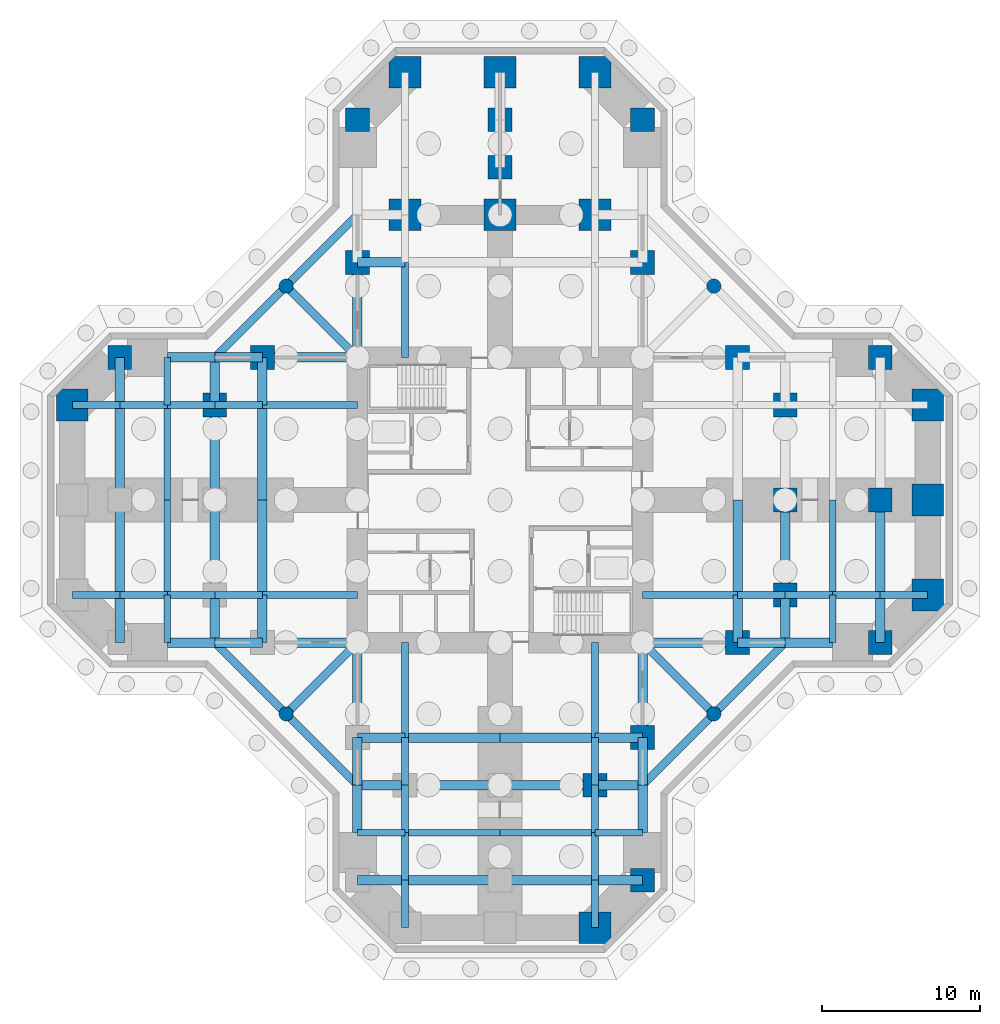
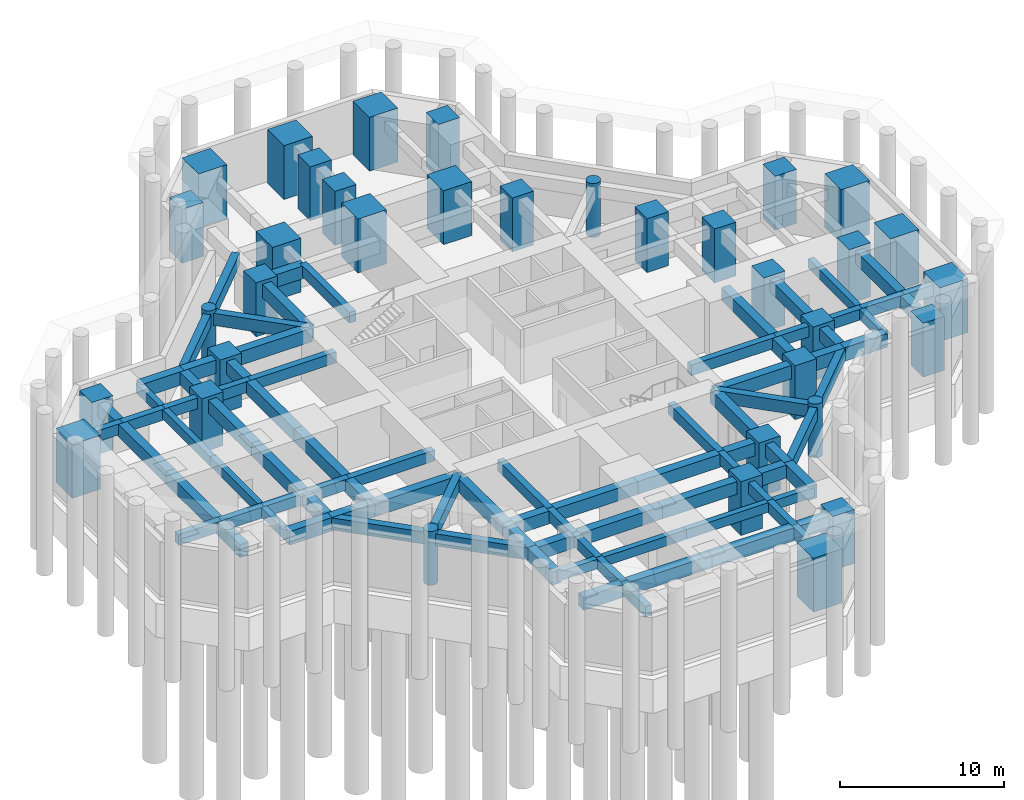
# One storey, part 2 of 8: 92 beams, 35 columns.
"""IFC4 building model written with IfcOpenShell, lengths in metres."""

from ifc_helpers import new_model, si_unit, direction, frame, origin, origin_2d, place, context, subcontext, project, spatial, rectangle, circle, extrude, material, material_profile, profile_set, type_object, element, save


model = new_model("IFC4")

# Units and contexts
model_context = context("Model", 3, precision=1e-05, world=origin(), true_north=direction((0.0, 1.0)))
body_context = subcontext(model_context, "Body", "Model", "MODEL_VIEW")
ifc_project = project(units=[si_unit("LENGTHUNIT", "METRE"), si_unit("AREAUNIT", "SQUARE_METRE"), si_unit("VOLUMEUNIT", "CUBIC_METRE"), si_unit("PLANEANGLEUNIT", "RADIAN"), si_unit("MASSUNIT", "GRAM", prefix="KILO")], contexts=[model_context])

# Site, building, storey
site_placement = place(None, origin())
site = spatial("IfcSite", under=ifc_project, at=site_placement, CompositionType="ELEMENT")
building_placement = place(site_placement, origin())
building = spatial("IfcBuilding", under=site, at=building_placement, Name="Torre Cruceta", CompositionType="ELEMENT")
storey_placement = place(building_placement, frame((0.0, 0.0, -8.0)))
storey = spatial("IfcBuildingStorey", under=building, at=storey_placement, Name="B02", CompositionType="ELEMENT", Elevation=-8.0)

# Columns
ifc_material_1 = material(Name="Concrete G60 (fck 60 MPa)", Category="concrete")
ifc_material_profile_1 = material_profile(ifc_material_1, rectangle(XDim=1.5, YDim=1.5, at=origin_2d()), Name="RC 1500X1500")
ifc_profile_set_1 = profile_set([ifc_material_profile_1], Name="Concrete G60 (fck 60 MPa)")
column_type_1 = type_object("IfcColumnType", Name="COLUMN RC 1500X1500", PredefinedType="COLUMN", material=ifc_profile_set_1)
for number, where, z_axis, x_axis, name in (
    (1, (9.0, 15.0, 0.0), (0.0, 0.0, 1.0), (1.0, 0.0, 0.0), "C0 B02 N side"),
    (2, (9.0, 24.0, 0.0), (0.0, 0.0, 1.0), (1.0, 0.0, 0.0), "C0 B02 N chamfer"),
    (3, (-9.0, 15.0, 0.0), (0.0, 0.0, 1.0), (1.0, 0.0, 0.0), "C0 B02 N side"),
    (4, (-9.0, 24.0, 0.0), (0.0, 0.0, 1.0), (1.0, 0.0, 0.0), "C0 B02 N chamfer"),
    (5, (15.0, -9.0, 0.0), (0.0, 0.0, 1.0), (1.0, 0.0, 0.0), "C0 B02 E side"),
    (6, (24.0, -9.0, 0.0), (0.0, 0.0, 1.0), (1.0, 0.0, 0.0), "C0 B02 E chamfer"),
    (7, (15.0, 9.0, 0.0), (0.0, 0.0, 1.0), (1.0, 0.0, 0.0), "C0 B02 E side"),
    (8, (24.0, 9.0, 0.0), (0.0, 0.0, 1.0), (1.0, 0.0, 0.0), "C0 B02 E chamfer"),
    (9, (9.0, -15.0, 0.0), (0.0, 0.0, 1.0), (1.0, 0.0, 0.0), "C0 B02 S side"),
    (10, (9.0, -24.0, 0.0), (0.0, 0.0, 1.0), (1.0, 0.0, 0.0), "C0 B02 S chamfer"),
    (11, (-15.0, 9.0, 0.0), (0.0, 0.0, 1.0), (1.0, 0.0, 0.0), "C0 B02 W side"),
    (12, (-24.0, 9.0, 0.0), (0.0, 0.0, 1.0), (1.0, 0.0, 0.0), "C0 B02 W chamfer"),
    (13, (0.0, 21.0, 0.0), (0.0, 0.0, 1.0), (1.0, 0.0, 0.0), "C0 B02 N interior"),
    (14, (0.0, 24.0, 0.0), (0.0, 0.0, 1.0), (1.0, 0.0, 0.0), "C0 B02 N interior"),
    (15, (18.0, -6.0, 0.0), (0.0, 0.0, 1.0), (1.0, 0.0, 0.0), "C0 B02 E interior"),
    (16, (18.0, 0.0, 0.0), (0.0, 0.0, 1.0), (1.0, 0.0, 0.0), "C0 B02 E interior"),
    (17, (18.0, 6.0, 0.0), (0.0, 0.0, 1.0), (1.0, 0.0, 0.0), "C0 B02 E interior"),
    (18, (24.0, 0.0, 0.0), (0.0, 0.0, 1.0), (1.0, 0.0, 0.0), "C0 B02 E interior"),
    (19, (6.0, -18.0, 0.0), (0.0, 0.0, 1.0), (1.0, 0.0, 0.0), "C0 B02 S interior"),
    (20, (-18.0, 6.0, 0.0), (0.0, 0.0, 1.0), (1.0, 0.0, 0.0), "C0 B02 W interior"),
):
    element("IfcColumn", number, at=place(storey_placement, frame(where, z_axis=z_axis, x_axis=x_axis)), inside=storey, type_object=column_type_1, Name=name, PredefinedType="COLUMN", context=body_context, shape_type="SweptSolid", body=[
        extrude(rectangle(XDim=1.5, YDim=1.5, at=origin_2d()), origin(), (0.0, 0.0, 1.0), 4.0),
    ])
ifc_material_2 = material(Name="Concrete G60 (fck 60 MPa)", Category="concrete")
ifc_material_profile_2 = material_profile(ifc_material_2, rectangle(XDim=2.0, YDim=2.0, at=origin_2d()), Name="RC 2000X2000")
ifc_profile_set_2 = profile_set([ifc_material_profile_2], Name="Concrete G60 (fck 60 MPa)")
column_type_2 = type_object("IfcColumnType", Name="COLUMN RC 2000X2000", PredefinedType="COLUMN", material=ifc_profile_set_2)
for number, where, z_axis, x_axis, name in (
    (21, (6.0, 27.0, 0.0), (0.0, 0.0, 1.0), (1.0, 0.0, 0.0), "CA B02 N tip"),
    (22, (0.0, 27.0, 0.0), (0.0, 0.0, 1.0), (1.0, 0.0, 0.0), "CA B02 N tip"),
    (23, (-6.0, 27.0, 0.0), (0.0, 0.0, 1.0), (1.0, 0.0, 0.0), "CA B02 N tip"),
    (24, (27.0, -6.0, 0.0), (0.0, 0.0, 1.0), (1.0, 0.0, 0.0), "CA B02 E tip"),
    (25, (27.0, 0.0, 0.0), (0.0, 0.0, 1.0), (1.0, 0.0, 0.0), "CA B02 E tip"),
    (26, (27.0, 6.0, 0.0), (0.0, 0.0, 1.0), (1.0, 0.0, 0.0), "CA B02 E tip"),
    (27, (6.0, -27.0, 0.0), (0.0, 0.0, 1.0), (1.0, 0.0, 0.0), "CA B02 S tip"),
    (28, (-27.0, 6.0, 0.0), (0.0, 0.0, 1.0), (1.0, 0.0, 0.0), "CA B02 W tip"),
    (29, (6.0, 18.0, 0.0), (0.0, 0.0, 1.0), (1.0, 0.0, 0.0), "CA B02 N interior"),
    (30, (0.0, 18.0, 0.0), (0.0, 0.0, 1.0), (1.0, 0.0, 0.0), "CA B02 N interior"),
    (31, (-6.0, 18.0, 0.0), (0.0, 0.0, 1.0), (1.0, 0.0, 0.0), "CA B02 N interior"),
):
    element("IfcColumn", number, at=place(storey_placement, frame(where, z_axis=z_axis, x_axis=x_axis)), inside=storey, type_object=column_type_2, Name=name, PredefinedType="COLUMN", context=body_context, shape_type="SweptSolid", body=[
        extrude(rectangle(XDim=2.0, YDim=2.0, at=origin_2d()), origin(), (0.0, 0.0, 1.0), 4.0),
    ])
ifc_material_3 = material(Name="Concrete G60 (fck 60 MPa)", Category="concrete")
ifc_material_profile_3 = material_profile(ifc_material_3, circle(Radius=0.449951171875, at=origin_2d()), Name="RC D900")
ifc_profile_set_3 = profile_set([ifc_material_profile_3], Name="Concrete G60 (fck 60 MPa)")
column_type_3 = type_object("IfcColumnType", Name="COLUMN RC D900", PredefinedType="COLUMN", material=ifc_profile_set_3)
for number, where, z_axis, x_axis, name in (
    (32, (-13.5, 13.5, 0.0), (0.0, 0.0, 1.0), (1.0, 0.0, 0.0), "C9 B02 N wing"),
    (33, (13.5, 13.5, 0.0), (0.0, 0.0, 1.0), (1.0, 0.0, 0.0), "C9 B02 E wing"),
    (34, (13.5, -13.5, 0.0), (0.0, 0.0, 1.0), (1.0, 0.0, 0.0), "C9 B02 S wing"),
    (35, (-13.5, -13.5, 0.0), (0.0, 0.0, 1.0), (1.0, 0.0, 0.0), "C9 B02 W wing"),
):
    element("IfcColumn", number, at=place(storey_placement, frame(where, z_axis=z_axis, x_axis=x_axis)), inside=storey, type_object=column_type_3, Name=name, PredefinedType="COLUMN", context=body_context, shape_type="SweptSolid", body=[
        extrude(circle(Radius=0.449951171875, at=origin_2d()), origin(), (0.0, 0.0, 1.0), 4.0),
    ])

# Beams
ifc_material_4 = material(Name="Concrete G60 (fck 60 MPa)", Category="concrete")
ifc_material_profile_4 = material_profile(ifc_material_4, rectangle(XDim=0.449951171875, YDim=0.800048828125, at=origin_2d()), Name="RC 450X800")
ifc_profile_set_4 = profile_set([ifc_material_profile_4], Name="Concrete G60 (fck 60 MPa)")
beam_type_1 = type_object("IfcBeamType", Name="COLUMN LINE BEAM RC 450X800", PredefinedType="BEAM", material=ifc_profile_set_4)
for number, where, z_axis, x_axis, name in (
    (36, (-6.0, 9.0, 3.35009765625), (0.0, 1.0, 0.0), (-1.0, 0.0, 0.0), "LB1 B02 N col+ 1"),
    (37, (9.0, -6.0, 3.35009765625), (1.0, 0.0, 0.0), (0.0, 1.0, 0.0), "LB1 B02 E col- 1"),
):
    element("IfcBeam", number, at=place(storey_placement, frame(where, z_axis=z_axis, x_axis=x_axis)), inside=storey, type_object=beam_type_1, Name=name, PredefinedType="BEAM", context=body_context, shape_type="SweptSolid", body=[
        extrude(rectangle(XDim=0.449951171875, YDim=0.800048828125, at=origin_2d()), origin(), (0.0, 0.0, 1.0), 6.0),
    ])
for number, where, z_axis, x_axis, name in (
    (38, (15.0, -6.0, 3.35009765625), (1.0, 0.0, 0.0), (0.0, 1.0, 0.0), "LB1 B02 E col- 2"),
    (39, (18.0, -6.0, 3.35009765625), (1.0, 0.0, 0.0), (0.0, 1.0, 0.0), "LB1 B02 E col- 3"),
    (40, (21.0, -6.0, 3.35009765625), (1.0, 0.0, 0.0), (0.0, 1.0, 0.0), "LB1 B02 E col- 4"),
    (41, (24.0, -6.0, 3.35009765625), (1.0, 0.0, 0.0), (0.0, 1.0, 0.0), "LB1 B02 E col- 5"),
):
    element("IfcBeam", number, at=place(storey_placement, frame(where, z_axis=z_axis, x_axis=x_axis)), inside=storey, type_object=beam_type_1, Name=name, PredefinedType="BEAM", context=body_context, shape_type="SweptSolid", body=[
        extrude(rectangle(XDim=0.449951171875, YDim=0.800048828125, at=origin_2d()), origin(), (0.0, 0.0, 1.0), 3.0),
    ])
beam_1_placement = place(storey_placement, frame((-6.0, -9.0, 3.35009765625), z_axis=(0.0, -1.0, 0.0), x_axis=(1.0, 0.0, 0.0)))
element("IfcBeam", 42, at=beam_1_placement, inside=storey, type_object=beam_type_1, Name="LB1 B02 S col- 1", PredefinedType="BEAM", context=body_context, shape_type="SweptSolid", body=[
    extrude(rectangle(XDim=0.449951171875, YDim=0.800048828125, at=origin_2d()), origin(), (0.0, 0.0, 1.0), 6.0),
])
for number, where, z_axis, x_axis, name in (
    (43, (-6.0, -15.0, 3.35009765625), (0.0, -1.0, 0.0), (1.0, 0.0, 0.0), "LB1 B02 S col- 2"),
    (44, (-6.0, -18.0, 3.35009765625), (0.0, -1.0, 0.0), (1.0, 0.0, 0.0), "LB1 B02 S col- 3"),
    (45, (-6.0, -21.0, 3.35009765625), (0.0, -1.0, 0.0), (1.0, 0.0, 0.0), "LB1 B02 S col- 4"),
    (46, (-6.0, -24.0, 3.35009765625), (0.0, -1.0, 0.0), (1.0, 0.0, 0.0), "LB1 B02 S col- 5"),
):
    element("IfcBeam", number, at=place(storey_placement, frame(where, z_axis=z_axis, x_axis=x_axis)), inside=storey, type_object=beam_type_1, Name=name, PredefinedType="BEAM", context=body_context, shape_type="SweptSolid", body=[
        extrude(rectangle(XDim=0.449951171875, YDim=0.800048828125, at=origin_2d()), origin(), (0.0, 0.0, 1.0), 3.0),
    ])
beam_2_placement = place(storey_placement, frame((6.0, -9.0, 3.35009765625), z_axis=(0.0, -1.0, 0.0), x_axis=(1.0, 0.0, 0.0)))
element("IfcBeam", 47, at=beam_2_placement, inside=storey, type_object=beam_type_1, Name="LB1 B02 S col+ 1", PredefinedType="BEAM", context=body_context, shape_type="SweptSolid", body=[
    extrude(rectangle(XDim=0.449951171875, YDim=0.800048828125, at=origin_2d()), origin(), (0.0, 0.0, 1.0), 6.0),
])
for number, where, z_axis, x_axis, name in (
    (48, (6.0, -15.0, 3.35009765625), (0.0, -1.0, 0.0), (1.0, 0.0, 0.0), "LB1 B02 S col+ 2"),
    (49, (6.0, -18.0, 3.35009765625), (0.0, -1.0, 0.0), (1.0, 0.0, 0.0), "LB1 B02 S col+ 3"),
    (50, (6.0, -21.0, 3.35009765625), (0.0, -1.0, 0.0), (1.0, 0.0, 0.0), "LB1 B02 S col+ 4"),
    (51, (6.0, -24.0, 3.35009765625), (0.0, -1.0, 0.0), (1.0, 0.0, 0.0), "LB1 B02 S col+ 5"),
):
    element("IfcBeam", number, at=place(storey_placement, frame(where, z_axis=z_axis, x_axis=x_axis)), inside=storey, type_object=beam_type_1, Name=name, PredefinedType="BEAM", context=body_context, shape_type="SweptSolid", body=[
        extrude(rectangle(XDim=0.449951171875, YDim=0.800048828125, at=origin_2d()), origin(), (0.0, 0.0, 1.0), 3.0),
    ])
beam_3_placement = place(storey_placement, frame((-9.0, 6.0, 3.35009765625), z_axis=(-1.0, 0.0, 0.0), x_axis=(0.0, -1.0, 0.0)))
element("IfcBeam", 52, at=beam_3_placement, inside=storey, type_object=beam_type_1, Name="LB1 B02 W col- 1", PredefinedType="BEAM", context=body_context, shape_type="SweptSolid", body=[
    extrude(rectangle(XDim=0.449951171875, YDim=0.800048828125, at=origin_2d()), origin(), (0.0, 0.0, 1.0), 6.0),
])
for number, where, z_axis, x_axis, name in (
    (53, (-15.0, 6.0, 3.35009765625), (-1.0, 0.0, 0.0), (0.0, -1.0, 0.0), "LB1 B02 W col- 2"),
    (54, (-18.0, 6.0, 3.35009765625), (-1.0, 0.0, 0.0), (0.0, -1.0, 0.0), "LB1 B02 W col- 3"),
    (55, (-21.0, 6.0, 3.35009765625), (-1.0, 0.0, 0.0), (0.0, -1.0, 0.0), "LB1 B02 W col- 4"),
    (56, (-24.0, 6.0, 3.35009765625), (-1.0, 0.0, 0.0), (0.0, -1.0, 0.0), "LB1 B02 W col- 5"),
):
    element("IfcBeam", number, at=place(storey_placement, frame(where, z_axis=z_axis, x_axis=x_axis)), inside=storey, type_object=beam_type_1, Name=name, PredefinedType="BEAM", context=body_context, shape_type="SweptSolid", body=[
        extrude(rectangle(XDim=0.449951171875, YDim=0.800048828125, at=origin_2d()), origin(), (0.0, 0.0, 1.0), 3.0),
    ])
beam_4_placement = place(storey_placement, frame((-9.0, -6.0, 3.35009765625), z_axis=(-1.0, 0.0, 0.0), x_axis=(0.0, -1.0, 0.0)))
element("IfcBeam", 57, at=beam_4_placement, inside=storey, type_object=beam_type_1, Name="LB1 B02 W col+ 1", PredefinedType="BEAM", context=body_context, shape_type="SweptSolid", body=[
    extrude(rectangle(XDim=0.449951171875, YDim=0.800048828125, at=origin_2d()), origin(), (0.0, 0.0, 1.0), 6.0),
])
for number, where, z_axis, x_axis, name in (
    (58, (-15.0, -6.0, 3.35009765625), (-1.0, 0.0, 0.0), (0.0, -1.0, 0.0), "LB1 B02 W col+ 2"),
    (59, (-18.0, -6.0, 3.35009765625), (-1.0, 0.0, 0.0), (0.0, -1.0, 0.0), "LB1 B02 W col+ 3"),
    (60, (-21.0, -6.0, 3.35009765625), (-1.0, 0.0, 0.0), (0.0, -1.0, 0.0), "LB1 B02 W col+ 4"),
    (61, (-24.0, -6.0, 3.35009765625), (-1.0, 0.0, 0.0), (0.0, -1.0, 0.0), "LB1 B02 W col+ 5"),
):
    element("IfcBeam", number, at=place(storey_placement, frame(where, z_axis=z_axis, x_axis=x_axis)), inside=storey, type_object=beam_type_1, Name=name, PredefinedType="BEAM", context=body_context, shape_type="SweptSolid", body=[
        extrude(rectangle(XDim=0.449951171875, YDim=0.800048828125, at=origin_2d()), origin(), (0.0, 0.0, 1.0), 3.0),
    ])
ifc_material_5 = material(Name="Concrete G60 (fck 60 MPa)", Category="concrete")
ifc_material_profile_5 = material_profile(ifc_material_5, rectangle(XDim=0.60009765625, YDim=0.949951171875, at=origin_2d()), Name="RC 600X950")
ifc_profile_set_5 = profile_set([ifc_material_profile_5], Name="Concrete G60 (fck 60 MPa)")
beam_type_2 = type_object("IfcBeamType", Name="CROSS BEAM RC 600X950", PredefinedType="BEAM", material=ifc_profile_set_5)
for number, where, z_axis, x_axis, name in (
    (62, (-6.0, 15.0, 3.27490234375), (-1.0, 0.0, 0.0), (0.0, -1.0, 0.0), "GB1 B02 N cross15 4"),
    (63, (15.0, -9.0, 3.27490234375), (0.0, 1.0, 0.0), (-1.0, 0.0, 0.0), "GB1 B02 E cross15 1"),
):
    element("IfcBeam", number, at=place(storey_placement, frame(where, z_axis=z_axis, x_axis=x_axis)), inside=storey, type_object=beam_type_2, Name=name, PredefinedType="BEAM", context=body_context, shape_type="SweptSolid", body=[
        extrude(rectangle(XDim=0.60009765625, YDim=0.949951171875, at=origin_2d()), origin(), (0.0, 0.0, 1.0), 3.0),
    ])
beam_5_placement = place(storey_placement, frame((15.0, -6.0, 3.27490234375), z_axis=(0.0, 1.0, 0.0), x_axis=(-1.0, 0.0, 0.0)))
element("IfcBeam", 64, at=beam_5_placement, inside=storey, type_object=beam_type_2, Name="GB1 B02 E cross15 2", PredefinedType="BEAM", context=body_context, shape_type="SweptSolid", body=[
    extrude(rectangle(XDim=0.60009765625, YDim=0.949951171875, at=origin_2d()), origin(), (0.0, 0.0, 1.0), 6.0),
])
beam_6_placement = place(storey_placement, frame((18.0, -9.0, 3.27490234375), z_axis=(0.0, 1.0, 0.0), x_axis=(-1.0, 0.0, 0.0)))
element("IfcBeam", 65, at=beam_6_placement, inside=storey, type_object=beam_type_2, Name="GB1 B02 E cross18 1", PredefinedType="BEAM", context=body_context, shape_type="SweptSolid", body=[
    extrude(rectangle(XDim=0.60009765625, YDim=0.949951171875, at=origin_2d()), origin(), (0.0, 0.0, 1.0), 3.0),
])
beam_7_placement = place(storey_placement, frame((18.0, -6.0, 3.27490234375), z_axis=(0.0, 1.0, 0.0), x_axis=(-1.0, 0.0, 0.0)))
element("IfcBeam", 66, at=beam_7_placement, inside=storey, type_object=beam_type_2, Name="GB1 B02 E cross18 2", PredefinedType="BEAM", context=body_context, shape_type="SweptSolid", body=[
    extrude(rectangle(XDim=0.60009765625, YDim=0.949951171875, at=origin_2d()), origin(), (0.0, 0.0, 1.0), 6.0),
])
beam_8_placement = place(storey_placement, frame((24.0, -9.0, 3.27490234375), z_axis=(0.0, 1.0, 0.0), x_axis=(-1.0, 0.0, 0.0)))
element("IfcBeam", 67, at=beam_8_placement, inside=storey, type_object=beam_type_2, Name="GB1 B02 E cross24 1", PredefinedType="BEAM", context=body_context, shape_type="SweptSolid", body=[
    extrude(rectangle(XDim=0.60009765625, YDim=0.949951171875, at=origin_2d()), origin(), (0.0, 0.0, 1.0), 3.0),
])
beam_9_placement = place(storey_placement, frame((24.0, -6.0, 3.27490234375), z_axis=(0.0, 1.0, 0.0), x_axis=(-1.0, 0.0, 0.0)))
element("IfcBeam", 68, at=beam_9_placement, inside=storey, type_object=beam_type_2, Name="GB1 B02 E cross24 2", PredefinedType="BEAM", context=body_context, shape_type="SweptSolid", body=[
    extrude(rectangle(XDim=0.60009765625, YDim=0.949951171875, at=origin_2d()), origin(), (0.0, 0.0, 1.0), 6.0),
])
beam_10_placement = place(storey_placement, frame((-9.0, -15.0, 3.27490234375), z_axis=(1.0, 0.0, 0.0), x_axis=(0.0, 1.0, 0.0)))
element("IfcBeam", 69, at=beam_10_placement, inside=storey, type_object=beam_type_2, Name="GB1 B02 S cross15 1", PredefinedType="BEAM", context=body_context, shape_type="SweptSolid", body=[
    extrude(rectangle(XDim=0.60009765625, YDim=0.949951171875, at=origin_2d()), origin(), (0.0, 0.0, 1.0), 3.0),
])
for number, where, z_axis, x_axis, name in (
    (70, (-6.0, -15.0, 3.27490234375), (1.0, 0.0, 0.0), (0.0, 1.0, 0.0), "GB1 B02 S cross15 2"),
    (71, (0.0, -15.0, 3.27490234375), (1.0, 0.0, 0.0), (0.0, 1.0, 0.0), "GB1 B02 S cross15 3"),
):
    element("IfcBeam", number, at=place(storey_placement, frame(where, z_axis=z_axis, x_axis=x_axis)), inside=storey, type_object=beam_type_2, Name=name, PredefinedType="BEAM", context=body_context, shape_type="SweptSolid", body=[
        extrude(rectangle(XDim=0.60009765625, YDim=0.949951171875, at=origin_2d()), origin(), (0.0, 0.0, 1.0), 6.0),
    ])
for number, where, z_axis, x_axis, name in (
    (72, (6.0, -15.0, 3.27490234375), (1.0, 0.0, 0.0), (0.0, 1.0, 0.0), "GB1 B02 S cross15 4"),
    (73, (-9.0, -18.0, 3.27490234375), (1.0, 0.0, 0.0), (0.0, 1.0, 0.0), "GB1 B02 S cross18 1"),
):
    element("IfcBeam", number, at=place(storey_placement, frame(where, z_axis=z_axis, x_axis=x_axis)), inside=storey, type_object=beam_type_2, Name=name, PredefinedType="BEAM", context=body_context, shape_type="SweptSolid", body=[
        extrude(rectangle(XDim=0.60009765625, YDim=0.949951171875, at=origin_2d()), origin(), (0.0, 0.0, 1.0), 3.0),
    ])
for number, where, z_axis, x_axis, name in (
    (74, (-6.0, -18.0, 3.27490234375), (1.0, 0.0, 0.0), (0.0, 1.0, 0.0), "GB1 B02 S cross18 2"),
    (75, (0.0, -18.0, 3.27490234375), (1.0, 0.0, 0.0), (0.0, 1.0, 0.0), "GB1 B02 S cross18 3"),
):
    element("IfcBeam", number, at=place(storey_placement, frame(where, z_axis=z_axis, x_axis=x_axis)), inside=storey, type_object=beam_type_2, Name=name, PredefinedType="BEAM", context=body_context, shape_type="SweptSolid", body=[
        extrude(rectangle(XDim=0.60009765625, YDim=0.949951171875, at=origin_2d()), origin(), (0.0, 0.0, 1.0), 6.0),
    ])
for number, where, z_axis, x_axis, name in (
    (76, (6.0, -18.0, 3.27490234375), (1.0, 0.0, 0.0), (0.0, 1.0, 0.0), "GB1 B02 S cross18 4"),
    (77, (-9.0, -24.0, 3.27490234375), (1.0, 0.0, 0.0), (0.0, 1.0, 0.0), "GB1 B02 S cross24 1"),
):
    element("IfcBeam", number, at=place(storey_placement, frame(where, z_axis=z_axis, x_axis=x_axis)), inside=storey, type_object=beam_type_2, Name=name, PredefinedType="BEAM", context=body_context, shape_type="SweptSolid", body=[
        extrude(rectangle(XDim=0.60009765625, YDim=0.949951171875, at=origin_2d()), origin(), (0.0, 0.0, 1.0), 3.0),
    ])
for number, where, z_axis, x_axis, name in (
    (78, (-6.0, -24.0, 3.27490234375), (1.0, 0.0, 0.0), (0.0, 1.0, 0.0), "GB1 B02 S cross24 2"),
    (79, (0.0, -24.0, 3.27490234375), (1.0, 0.0, 0.0), (0.0, 1.0, 0.0), "GB1 B02 S cross24 3"),
):
    element("IfcBeam", number, at=place(storey_placement, frame(where, z_axis=z_axis, x_axis=x_axis)), inside=storey, type_object=beam_type_2, Name=name, PredefinedType="BEAM", context=body_context, shape_type="SweptSolid", body=[
        extrude(rectangle(XDim=0.60009765625, YDim=0.949951171875, at=origin_2d()), origin(), (0.0, 0.0, 1.0), 6.0),
    ])
for number, where, z_axis, x_axis, name in (
    (80, (6.0, -24.0, 3.27490234375), (1.0, 0.0, 0.0), (0.0, 1.0, 0.0), "GB1 B02 S cross24 4"),
    (81, (-15.0, 9.0, 3.27490234375), (0.0, -1.0, 0.0), (1.0, 0.0, 0.0), "GB1 B02 W cross15 1"),
):
    element("IfcBeam", number, at=place(storey_placement, frame(where, z_axis=z_axis, x_axis=x_axis)), inside=storey, type_object=beam_type_2, Name=name, PredefinedType="BEAM", context=body_context, shape_type="SweptSolid", body=[
        extrude(rectangle(XDim=0.60009765625, YDim=0.949951171875, at=origin_2d()), origin(), (0.0, 0.0, 1.0), 3.0),
    ])
for number, where, z_axis, x_axis, name in (
    (82, (-15.0, 6.0, 3.27490234375), (0.0, -1.0, 0.0), (1.0, 0.0, 0.0), "GB1 B02 W cross15 2"),
    (83, (-15.0, 0.0, 3.27490234375), (0.0, -1.0, 0.0), (1.0, 0.0, 0.0), "GB1 B02 W cross15 3"),
):
    element("IfcBeam", number, at=place(storey_placement, frame(where, z_axis=z_axis, x_axis=x_axis)), inside=storey, type_object=beam_type_2, Name=name, PredefinedType="BEAM", context=body_context, shape_type="SweptSolid", body=[
        extrude(rectangle(XDim=0.60009765625, YDim=0.949951171875, at=origin_2d()), origin(), (0.0, 0.0, 1.0), 6.0),
    ])
for number, where, z_axis, x_axis, name in (
    (84, (-15.0, -6.0, 3.27490234375), (0.0, -1.0, 0.0), (1.0, 0.0, 0.0), "GB1 B02 W cross15 4"),
    (85, (-18.0, 9.0, 3.27490234375), (0.0, -1.0, 0.0), (1.0, 0.0, 0.0), "GB1 B02 W cross18 1"),
):
    element("IfcBeam", number, at=place(storey_placement, frame(where, z_axis=z_axis, x_axis=x_axis)), inside=storey, type_object=beam_type_2, Name=name, PredefinedType="BEAM", context=body_context, shape_type="SweptSolid", body=[
        extrude(rectangle(XDim=0.60009765625, YDim=0.949951171875, at=origin_2d()), origin(), (0.0, 0.0, 1.0), 3.0),
    ])
for number, where, z_axis, x_axis, name in (
    (86, (-18.0, 6.0, 3.27490234375), (0.0, -1.0, 0.0), (1.0, 0.0, 0.0), "GB1 B02 W cross18 2"),
    (87, (-18.0, 0.0, 3.27490234375), (0.0, -1.0, 0.0), (1.0, 0.0, 0.0), "GB1 B02 W cross18 3"),
):
    element("IfcBeam", number, at=place(storey_placement, frame(where, z_axis=z_axis, x_axis=x_axis)), inside=storey, type_object=beam_type_2, Name=name, PredefinedType="BEAM", context=body_context, shape_type="SweptSolid", body=[
        extrude(rectangle(XDim=0.60009765625, YDim=0.949951171875, at=origin_2d()), origin(), (0.0, 0.0, 1.0), 6.0),
    ])
for number, where, z_axis, x_axis, name in (
    (88, (-18.0, -6.0, 3.27490234375), (0.0, -1.0, 0.0), (1.0, 0.0, 0.0), "GB1 B02 W cross18 4"),
    (89, (-24.0, 9.0, 3.27490234375), (0.0, -1.0, 0.0), (1.0, 0.0, 0.0), "GB1 B02 W cross24 1"),
):
    element("IfcBeam", number, at=place(storey_placement, frame(where, z_axis=z_axis, x_axis=x_axis)), inside=storey, type_object=beam_type_2, Name=name, PredefinedType="BEAM", context=body_context, shape_type="SweptSolid", body=[
        extrude(rectangle(XDim=0.60009765625, YDim=0.949951171875, at=origin_2d()), origin(), (0.0, 0.0, 1.0), 3.0),
    ])
for number, where, z_axis, x_axis, name in (
    (90, (-24.0, 6.0, 3.27490234375), (0.0, -1.0, 0.0), (1.0, 0.0, 0.0), "GB1 B02 W cross24 2"),
    (91, (-24.0, 0.0, 3.27490234375), (0.0, -1.0, 0.0), (1.0, 0.0, 0.0), "GB1 B02 W cross24 3"),
):
    element("IfcBeam", number, at=place(storey_placement, frame(where, z_axis=z_axis, x_axis=x_axis)), inside=storey, type_object=beam_type_2, Name=name, PredefinedType="BEAM", context=body_context, shape_type="SweptSolid", body=[
        extrude(rectangle(XDim=0.60009765625, YDim=0.949951171875, at=origin_2d()), origin(), (0.0, 0.0, 1.0), 6.0),
    ])
beam_11_placement = place(storey_placement, frame((-24.0, -6.0, 3.27490234375), z_axis=(0.0, -1.0, 0.0), x_axis=(1.0, 0.0, 0.0)))
element("IfcBeam", 92, at=beam_11_placement, inside=storey, type_object=beam_type_2, Name="GB1 B02 W cross24 4", PredefinedType="BEAM", context=body_context, shape_type="SweptSolid", body=[
    extrude(rectangle(XDim=0.60009765625, YDim=0.949951171875, at=origin_2d()), origin(), (0.0, 0.0, 1.0), 3.0),
])
ifc_material_6 = material(Name="Concrete G60 (fck 60 MPa)", Category="concrete")
ifc_material_profile_6 = material_profile(ifc_material_6, rectangle(XDim=0.39990234375, YDim=0.699951171875, at=origin_2d()), Name="RC 400X700")
ifc_profile_set_6 = profile_set([ifc_material_profile_6], Name="Concrete G60 (fck 60 MPa)")
beam_type_3 = type_object("IfcBeamType", Name="SECONDARY BEAM RC 400X700", PredefinedType="JOIST", material=ifc_profile_set_6)
beam_12_placement = place(storey_placement, frame((21.0, -9.0, 3.39990234375), z_axis=(0.0, 1.0, 0.0), x_axis=(-1.0, 0.0, 0.0)))
element("IfcBeam", 93, at=beam_12_placement, inside=storey, type_object=beam_type_3, Name="JB1 B02 E sec21 1", PredefinedType="JOIST", context=body_context, shape_type="SweptSolid", body=[
    extrude(rectangle(XDim=0.39990234375, YDim=0.699951171875, at=origin_2d()), origin(), (0.0, 0.0, 1.0), 3.0),
])
beam_13_placement = place(storey_placement, frame((21.0, -6.0, 3.39990234375), z_axis=(0.0, 1.0, 0.0), x_axis=(-1.0, 0.0, 0.0)))
element("IfcBeam", 94, at=beam_13_placement, inside=storey, type_object=beam_type_3, Name="JB1 B02 E sec21 2", PredefinedType="JOIST", context=body_context, shape_type="SweptSolid", body=[
    extrude(rectangle(XDim=0.39990234375, YDim=0.699951171875, at=origin_2d()), origin(), (0.0, 0.0, 1.0), 6.0),
])
beam_14_placement = place(storey_placement, frame((-9.0, -21.0, 3.39990234375), z_axis=(1.0, 0.0, 0.0), x_axis=(0.0, 1.0, 0.0)))
element("IfcBeam", 95, at=beam_14_placement, inside=storey, type_object=beam_type_3, Name="JB1 B02 S sec21 1", PredefinedType="JOIST", context=body_context, shape_type="SweptSolid", body=[
    extrude(rectangle(XDim=0.39990234375, YDim=0.699951171875, at=origin_2d()), origin(), (0.0, 0.0, 1.0), 3.0),
])
for number, where, z_axis, x_axis, name in (
    (96, (-6.0, -21.0, 3.39990234375), (1.0, 0.0, 0.0), (0.0, 1.0, 0.0), "JB1 B02 S sec21 2"),
    (97, (0.0, -21.0, 3.39990234375), (1.0, 0.0, 0.0), (0.0, 1.0, 0.0), "JB1 B02 S sec21 3"),
):
    element("IfcBeam", number, at=place(storey_placement, frame(where, z_axis=z_axis, x_axis=x_axis)), inside=storey, type_object=beam_type_3, Name=name, PredefinedType="JOIST", context=body_context, shape_type="SweptSolid", body=[
        extrude(rectangle(XDim=0.39990234375, YDim=0.699951171875, at=origin_2d()), origin(), (0.0, 0.0, 1.0), 6.0),
    ])
for number, where, z_axis, x_axis, name in (
    (98, (6.0, -21.0, 3.39990234375), (1.0, 0.0, 0.0), (0.0, 1.0, 0.0), "JB1 B02 S sec21 4"),
    (99, (-21.0, 9.0, 3.39990234375), (0.0, -1.0, 0.0), (1.0, 0.0, 0.0), "JB1 B02 W sec21 1"),
):
    element("IfcBeam", number, at=place(storey_placement, frame(where, z_axis=z_axis, x_axis=x_axis)), inside=storey, type_object=beam_type_3, Name=name, PredefinedType="JOIST", context=body_context, shape_type="SweptSolid", body=[
        extrude(rectangle(XDim=0.39990234375, YDim=0.699951171875, at=origin_2d()), origin(), (0.0, 0.0, 1.0), 3.0),
    ])
for number, where, z_axis, x_axis, name in (
    (100, (-21.0, 6.0, 3.39990234375), (0.0, -1.0, 0.0), (1.0, 0.0, 0.0), "JB1 B02 W sec21 2"),
    (101, (-21.0, 0.0, 3.39990234375), (0.0, -1.0, 0.0), (1.0, 0.0, 0.0), "JB1 B02 W sec21 3"),
):
    element("IfcBeam", number, at=place(storey_placement, frame(where, z_axis=z_axis, x_axis=x_axis)), inside=storey, type_object=beam_type_3, Name=name, PredefinedType="JOIST", context=body_context, shape_type="SweptSolid", body=[
        extrude(rectangle(XDim=0.39990234375, YDim=0.699951171875, at=origin_2d()), origin(), (0.0, 0.0, 1.0), 6.0),
    ])
beam_15_placement = place(storey_placement, frame((-21.0, -6.0, 3.39990234375), z_axis=(0.0, -1.0, 0.0), x_axis=(1.0, 0.0, 0.0)))
element("IfcBeam", 102, at=beam_15_placement, inside=storey, type_object=beam_type_3, Name="JB1 B02 W sec21 4", PredefinedType="JOIST", context=body_context, shape_type="SweptSolid", body=[
    extrude(rectangle(XDim=0.39990234375, YDim=0.699951171875, at=origin_2d()), origin(), (0.0, 0.0, 1.0), 3.0),
])
ifc_material_7 = material(Name="Concrete G60 (fck 60 MPa)", Category="concrete")
ifc_material_profile_7 = material_profile(ifc_material_7, rectangle(XDim=0.60009765625, YDim=1.0, at=origin_2d()), Name="RC 600X1000")
ifc_profile_set_7 = profile_set([ifc_material_profile_7], Name="Concrete G60 (fck 60 MPa)")
beam_type_4 = type_object("IfcBeamType", Name="SPANDREL BEAM RC 600X1000", PredefinedType="SPANDREL", material=ifc_profile_set_7)
for number, where, z_axis, x_axis, name in (
    (103, (-9.0, 9.0, 3.25), (0.0, 1.0, 0.0), (-1.0, 0.0, 0.0), "SB1 B02 N side+ 1"),
    (104, (9.0, -9.0, 3.25), (1.0, 0.0, 0.0), (0.0, 1.0, 0.0), "SB1 B02 E side- 1"),
):
    element("IfcBeam", number, at=place(storey_placement, frame(where, z_axis=z_axis, x_axis=x_axis)), inside=storey, type_object=beam_type_4, Name=name, PredefinedType="SPANDREL", context=body_context, shape_type="SweptSolid", body=[
        extrude(rectangle(XDim=0.60009765625, YDim=1.0, at=origin_2d()), origin(), (0.0, 0.0, 1.0), 6.0),
    ])
for number, where, z_axis, x_axis, name in (
    (105, (15.0, -9.0, 3.25), (1.0, 0.0, 0.0), (0.0, 1.0, 0.0), "SB1 B02 E side- 2"),
    (106, (18.0, -9.0, 3.25), (1.0, 0.0, 0.0), (0.0, 1.0, 0.0), "SB1 B02 E side- 3"),
):
    element("IfcBeam", number, at=place(storey_placement, frame(where, z_axis=z_axis, x_axis=x_axis)), inside=storey, type_object=beam_type_4, Name=name, PredefinedType="SPANDREL", context=body_context, shape_type="SweptSolid", body=[
        extrude(rectangle(XDim=0.60009765625, YDim=1.0, at=origin_2d()), origin(), (0.0, 0.0, 1.0), 3.0),
    ])
beam_16_placement = place(storey_placement, frame((-9.0, -9.0, 3.25), z_axis=(0.0, -1.0, 0.0), x_axis=(1.0, 0.0, 0.0)))
element("IfcBeam", 107, at=beam_16_placement, inside=storey, type_object=beam_type_4, Name="SB1 B02 S side- 1", PredefinedType="SPANDREL", context=body_context, shape_type="SweptSolid", body=[
    extrude(rectangle(XDim=0.60009765625, YDim=1.0, at=origin_2d()), origin(), (0.0, 0.0, 1.0), 6.0),
])
for number, where, z_axis, x_axis, name in (
    (108, (-9.0, -15.0, 3.25), (0.0, -1.0, 0.0), (1.0, 0.0, 0.0), "SB1 B02 S side- 2"),
    (109, (-9.0, -18.0, 3.25), (0.0, -1.0, 0.0), (1.0, 0.0, 0.0), "SB1 B02 S side- 3"),
):
    element("IfcBeam", number, at=place(storey_placement, frame(where, z_axis=z_axis, x_axis=x_axis)), inside=storey, type_object=beam_type_4, Name=name, PredefinedType="SPANDREL", context=body_context, shape_type="SweptSolid", body=[
        extrude(rectangle(XDim=0.60009765625, YDim=1.0, at=origin_2d()), origin(), (0.0, 0.0, 1.0), 3.0),
    ])
beam_17_placement = place(storey_placement, frame((9.0, -9.0, 3.25), z_axis=(0.0, -1.0, 0.0), x_axis=(1.0, 0.0, 0.0)))
element("IfcBeam", 110, at=beam_17_placement, inside=storey, type_object=beam_type_4, Name="SB1 B02 S side+ 1", PredefinedType="SPANDREL", context=body_context, shape_type="SweptSolid", body=[
    extrude(rectangle(XDim=0.60009765625, YDim=1.0, at=origin_2d()), origin(), (0.0, 0.0, 1.0), 6.0),
])
for number, where, z_axis, x_axis, name in (
    (111, (9.0, -15.0, 3.25), (0.0, -1.0, 0.0), (1.0, 0.0, 0.0), "SB1 B02 S side+ 2"),
    (112, (9.0, -18.0, 3.25), (0.0, -1.0, 0.0), (1.0, 0.0, 0.0), "SB1 B02 S side+ 3"),
):
    element("IfcBeam", number, at=place(storey_placement, frame(where, z_axis=z_axis, x_axis=x_axis)), inside=storey, type_object=beam_type_4, Name=name, PredefinedType="SPANDREL", context=body_context, shape_type="SweptSolid", body=[
        extrude(rectangle(XDim=0.60009765625, YDim=1.0, at=origin_2d()), origin(), (0.0, 0.0, 1.0), 3.0),
    ])
beam_18_placement = place(storey_placement, frame((-9.0, 9.0, 3.25), z_axis=(-1.0, 0.0, 0.0), x_axis=(0.0, -1.0, 0.0)))
element("IfcBeam", 113, at=beam_18_placement, inside=storey, type_object=beam_type_4, Name="SB1 B02 W side- 1", PredefinedType="SPANDREL", context=body_context, shape_type="SweptSolid", body=[
    extrude(rectangle(XDim=0.60009765625, YDim=1.0, at=origin_2d()), origin(), (0.0, 0.0, 1.0), 6.0),
])
for number, where, z_axis, x_axis, name in (
    (114, (-15.0, 9.0, 3.25), (-1.0, 0.0, 0.0), (0.0, -1.0, 0.0), "SB1 B02 W side- 2"),
    (115, (-18.0, 9.0, 3.25), (-1.0, 0.0, 0.0), (0.0, -1.0, 0.0), "SB1 B02 W side- 3"),
):
    element("IfcBeam", number, at=place(storey_placement, frame(where, z_axis=z_axis, x_axis=x_axis)), inside=storey, type_object=beam_type_4, Name=name, PredefinedType="SPANDREL", context=body_context, shape_type="SweptSolid", body=[
        extrude(rectangle(XDim=0.60009765625, YDim=1.0, at=origin_2d()), origin(), (0.0, 0.0, 1.0), 3.0),
    ])
beam_19_placement = place(storey_placement, frame((-9.0, -9.0, 3.25), z_axis=(-1.0, 0.0, 0.0), x_axis=(0.0, -1.0, 0.0)))
element("IfcBeam", 116, at=beam_19_placement, inside=storey, type_object=beam_type_4, Name="SB1 B02 W side+ 1", PredefinedType="SPANDREL", context=body_context, shape_type="SweptSolid", body=[
    extrude(rectangle(XDim=0.60009765625, YDim=1.0, at=origin_2d()), origin(), (0.0, 0.0, 1.0), 6.0),
])
for number, where, z_axis, x_axis, name in (
    (117, (-15.0, -9.0, 3.25), (-1.0, 0.0, 0.0), (0.0, -1.0, 0.0), "SB1 B02 W side+ 2"),
    (118, (-18.0, -9.0, 3.25), (-1.0, 0.0, 0.0), (0.0, -1.0, 0.0), "SB1 B02 W side+ 3"),
):
    element("IfcBeam", number, at=place(storey_placement, frame(where, z_axis=z_axis, x_axis=x_axis)), inside=storey, type_object=beam_type_4, Name=name, PredefinedType="SPANDREL", context=body_context, shape_type="SweptSolid", body=[
        extrude(rectangle(XDim=0.60009765625, YDim=1.0, at=origin_2d()), origin(), (0.0, 0.0, 1.0), 3.0),
    ])
ifc_material_8 = material(Name="Concrete G60 (fck 60 MPa)", Category="concrete")
ifc_material_profile_8 = material_profile(ifc_material_8, rectangle(XDim=0.5, YDim=0.89990234375, at=origin_2d()), Name="RC 500X900")
ifc_profile_set_8 = profile_set([ifc_material_profile_8], Name="Concrete G60 (fck 60 MPa)")
beam_type_5 = type_object("IfcBeamType", Name="WING EDGE BEAM RC 500X900", PredefinedType="BEAM", material=ifc_profile_set_8)
for number, where, z_axis, x_axis, name in (
    (119, (-9.0, 18.0, 3.300048828125), (-0.707106781187, -0.707106781187, 0.0), (0.707106781187, -0.707106781187, 0.0), "WB1 B02 N wing 1"),
    (120, (-13.5, 13.5, 3.300048828125), (-0.707106781187, -0.707106781187, 0.0), (0.707106781187, -0.707106781187, 0.0), "WB1 B02 N wing 2"),
    (121, (-9.0, 9.0, 3.300048828125), (-0.707106781187, 0.707106781187, 0.0), (-0.707106781187, -0.707106781187, 0.0), "WB1 B02 N wingtie 1"),
    (122, (9.0, -18.0, 3.300048828125), (0.707106781187, 0.707106781187, 0.0), (-0.707106781187, 0.707106781187, 0.0), "WB1 B02 S wing 1"),
    (123, (13.5, -13.5, 3.300048828125), (0.707106781187, 0.707106781187, 0.0), (-0.707106781187, 0.707106781187, 0.0), "WB1 B02 S wing 2"),
    (124, (9.0, -9.0, 3.300048828125), (0.707106781187, -0.707106781187, 0.0), (0.707106781187, 0.707106781187, 0.0), "WB1 B02 S wingtie 1"),
    (125, (-18.0, -9.0, 3.300048828125), (0.707106781187, -0.707106781187, 0.0), (0.707106781187, 0.707106781187, 0.0), "WB1 B02 W wing 1"),
    (126, (-13.5, -13.5, 3.300048828125), (0.707106781187, -0.707106781187, 0.0), (0.707106781187, 0.707106781187, 0.0), "WB1 B02 W wing 2"),
    (127, (-9.0, -9.0, 3.300048828125), (-0.707106781187, -0.707106781187, 0.0), (0.707106781187, -0.707106781187, 0.0), "WB1 B02 W wingtie 1"),
):
    element("IfcBeam", number, at=place(storey_placement, frame(where, z_axis=z_axis, x_axis=x_axis)), inside=storey, type_object=beam_type_5, Name=name, PredefinedType="BEAM", context=body_context, shape_type="SweptSolid", body=[
        extrude(rectangle(XDim=0.5, YDim=0.89990234375, at=origin_2d()), origin(), (0.0, 0.0, 1.0), 6.364013671875),
    ])

save(model, "model.ifc")
